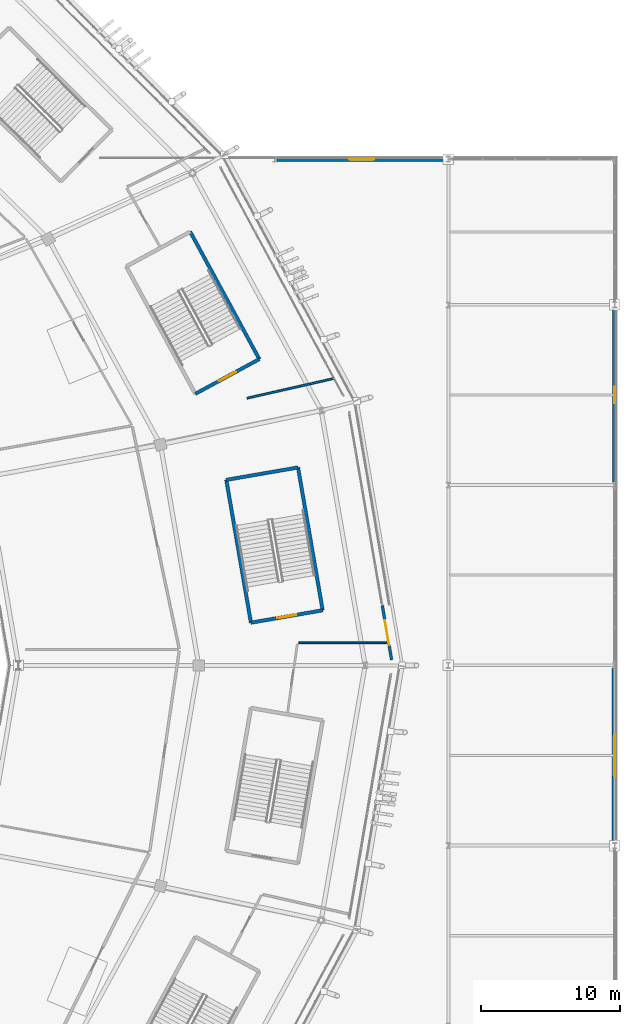
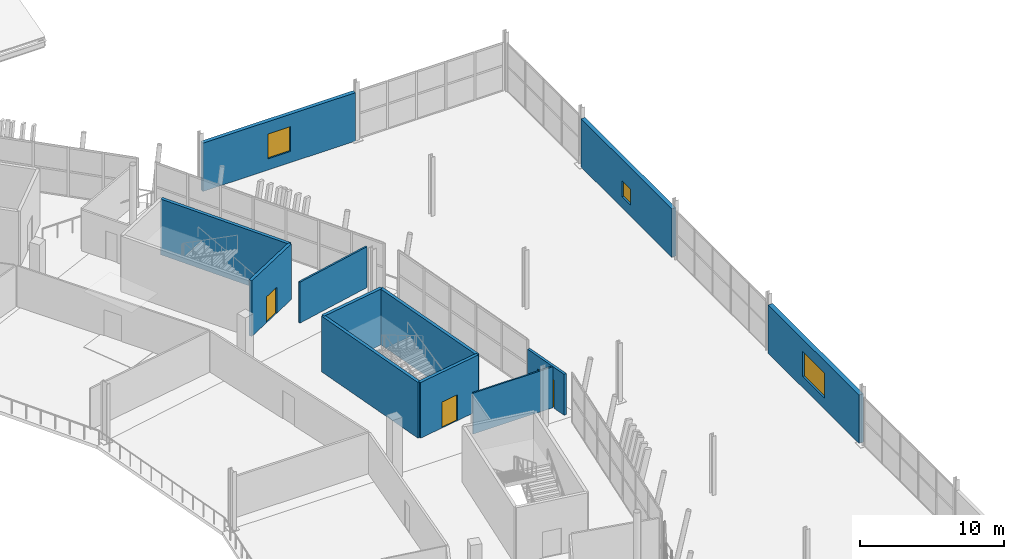
# One storey, part 132 of 179: 12 walls, 3 doors, 3 windows, 6 openings.
"""IFC4 building model written with IfcOpenShell, lengths in metres."""

from ifc_helpers import new_model, si_unit, direction, frame, frame_2d, origin, place, context, subcontext, project, spatial, rectangle, extrude, material, layer, layer_set, type_object, element, fill, save


model = new_model("IFC4")

# Units and contexts
model_context = context("Model", 3, precision=1e-05, world=origin(), true_north=direction((0.0, 1.0)))
body_context = subcontext(model_context, "Body", "Model", "MODEL_VIEW")
ifc_project = project(units=[si_unit("LENGTHUNIT", "METRE"), si_unit("AREAUNIT", "SQUARE_METRE"), si_unit("VOLUMEUNIT", "CUBIC_METRE"), si_unit("PLANEANGLEUNIT", "RADIAN"), si_unit("MASSUNIT", "GRAM", prefix="KILO")], contexts=[model_context])

# Site, building, storey
site_placement = place(None, origin())
site = spatial("IfcSite", under=ifc_project, at=site_placement, CompositionType="ELEMENT")
building_placement = place(site_placement, origin())
building = spatial("IfcBuilding", under=site, at=building_placement, Name="Zlatoyarsky Gate Stadium", CompositionType="ELEMENT")
storey_placement = place(building_placement, frame((0.0, 0.0, 10.60009765625)))
storey = spatial("IfcBuildingStorey", under=building, at=storey_placement, Name="L02", CompositionType="ELEMENT", Elevation=10.60009765625)

# Wall
ifc_material_1 = material(Name="Moisture-resistant masonry partition", Category="masonry")
ifc_layer_1 = layer(ifc_material_1, 0.139892578125)
ifc_layer_set_1 = layer_set([ifc_layer_1], Name="Moisture-resistant masonry partition")
wall_type_1 = type_object("IfcWallType", Name="ATHLETE CHANGING BLOCK PARTITION 140", PredefinedType="PARTITIONING", material=ifc_layer_set_1)
wall_1_placement = place(storey_placement, frame((195.4921875, 99.2646484375, 0.0), z_axis=(0.0, 0.0, 1.0), x_axis=(0.975092050742, 0.221800569385, 0.0)))
element("IfcWall", 1, at=wall_1_placement, inside=storey, type_object=wall_type_1, Name="L02 interior partition PRT-L02-ORD-01L", PredefinedType="PARTITIONING", context=body_context, shape_type="SweptSolid", body=[
    extrude(rectangle(XDim=6.35009765625, YDim=0.139892578125, at=frame_2d((3.175048828125, 0.0))), origin(), (0.0, 0.0, 1.0), 3.469970703125),
])

# Wall, opening, door
ifc_material_2 = material(Name="Gypsum-clad mineral wool fire partition", Category="gypsum")
ifc_layer_2 = layer(ifc_material_2, 0.199951171875)
ifc_layer_set_2 = layer_set([ifc_layer_2], Name="Gypsum-clad mineral wool fire partition")
wall_type_2 = type_object("IfcWallType", Name="COMPARTMENT FIRE PARTITION WALL 200", PredefinedType="PARTITIONING", material=ifc_layer_set_2)
wall_2_placement = place(storey_placement, frame((205.907470703125, 80.399169921875, 0.0), z_axis=(0.0, 0.0, 1.0), x_axis=(-0.168866275192, 0.985638970974, 0.0)))
wall_2 = element("IfcWall", 2, at=wall_2_placement, inside=storey, type_object=wall_type_2, Name="L02 interior partition PRT-PORTAL-L02-00", PredefinedType="PARTITIONING", context=body_context, shape_type="SweptSolid", body=[
    extrude(rectangle(XDim=3.9599609375, YDim=0.199951171875, at=frame_2d((1.97998046875, 0.0))), origin(), (0.0, 0.0, 1.0), 3.469970703125),
])
opening_1_placement = place(wall_2_placement, frame((1.070068359375, 0.0, 0.0)))
opening_1 = element("IfcOpeningElement", 3, at=opening_1_placement, cuts=wall_2, Name="Opening D-L02-713", PredefinedType="OPENING", context=body_context, shape_type="SweptSolid", body=[
    extrude(rectangle(XDim=1.820068359375, YDim=2.3798828125, at=frame_2d((0.91015625, 1.18994140625))), frame((0.0, 0.10986328125, 0.0), z_axis=(0.0, -1.0, 0.0), x_axis=(1.0, 0.0, 0.0)), (0.0, 0.0, 1.0), 0.219970703125),
])
ifc_material_3 = material(Name="Powder-coated steel fire door", Category="steel")
door_type_1 = type_object("IfcDoorType", Name="ACOUSTIC INTERIOR DOOR 1820X2380", OperationType="NOTDEFINED", PredefinedType="DOOR", material=ifc_material_3)
door_1_placement = place(opening_1_placement, origin())
door_1 = element("IfcDoor", 4, at=door_1_placement, inside=storey, type_object=door_type_1, Name="L02 room door D-L02-713", OperationType="SINGLE_SWING_LEFT", OverallHeight=2.3798828125, OverallWidth=1.820068359375, PredefinedType="DOOR", context=body_context, shape_type="SweptSolid", body=[
    extrude(rectangle(XDim=1.820068359375, YDim=2.3798828125, at=frame_2d((0.91015625, 1.18994140625))), frame((0.0, 0.02490234375, 0.0), z_axis=(0.0, -1.0, 0.0), x_axis=(1.0, 0.0, 0.0)), (0.0, 0.0, 1.0), 0.050048828125),
])
fill(opening_1, door_1)

ifc_material_4 = material(Name="Concrete C40/50", Category="concrete")
ifc_layer_3 = layer(ifc_material_4, 0.25)
ifc_layer_set_3 = layer_set([ifc_layer_3], Name="Concrete C40/50")
wall_type_3 = type_object("IfcWallType", Name="CONCRETE STAIR CORE SHEAR WALL 250", PredefinedType="SHEAR", material=ifc_layer_set_3)
wall_3_placement = place(storey_placement, frame((195.762451171875, 83.07666015625, 0.0), z_axis=(0.0, 0.0, 1.0), x_axis=(0.985457162135, 0.16992404655, 0.0)))
wall_3 = element("IfcWall", 5, at=wall_3_placement, inside=storey, type_object=wall_type_3, Name="ST-01 L02 stair core entrance shear wall", PredefinedType="SHEAR", context=body_context, shape_type="SweptSolid", body=[
    extrude(rectangle(XDim=5.25, YDim=0.25, at=frame_2d((2.625, 0.0))), origin(), (0.0, 0.0, 1.0), 4.719970703125),
])
opening_2_placement = place(wall_3_placement, frame((1.925048828125, 0.0, 0.0)))
opening_2 = element("IfcOpeningElement", 6, at=opening_2_placement, cuts=wall_3, Name="Opening SD-ST-01-L02", PredefinedType="OPENING", context=body_context, shape_type="SweptSolid", body=[
    extrude(rectangle(XDim=1.39990234375, YDim=2.199951171875, at=frame_2d((0.699951171875, 1.10009765625))), frame((0.0, 0.135009765625, 0.0), z_axis=(0.0, -1.0, 0.0), x_axis=(1.0, 0.0, 0.0)), (0.0, 0.0, 1.0), 0.27001953125),
])
door_type_2 = type_object("IfcDoorType", Name="STAIR CORE FIRE EXIT DOOR 1400X2200", OperationType="NOTDEFINED", PredefinedType="DOOR", material=ifc_material_3)
door_2_placement = place(opening_2_placement, frame((1.39990234375, 0.0, 0.0), z_axis=(0.0, 0.0, 1.0), x_axis=(-1.0, 0.0, 0.0)))
door_2 = element("IfcDoor", 7, at=door_2_placement, inside=storey, type_object=door_type_2, Name="ST-01 L02 stair fire door", OperationType="SINGLE_SWING_RIGHT", OverallHeight=2.199951171875, OverallWidth=1.39990234375, PredefinedType="DOOR", context=body_context, shape_type="SweptSolid", body=[
    extrude(rectangle(XDim=1.39990234375, YDim=2.199951171875, at=frame_2d((0.699951171875, 1.10009765625))), frame((0.0, 0.02490234375, 0.0), z_axis=(0.0, -1.0, 0.0), x_axis=(1.0, 0.0, 0.0)), (0.0, 0.0, 1.0), 0.050048828125),
])
fill(opening_2, door_2)

# Walls
wall_4_placement = place(storey_placement, frame((200.93603515625, 83.96875, 0.0), z_axis=(0.0, 0.0, 1.0), x_axis=(-0.169938992676, 0.985454584833, 0.0)))
element("IfcWall", 8, at=wall_4_placement, inside=storey, type_object=wall_type_3, Name="ST-01 L02 stair core left shear wall", PredefinedType="SHEAR", context=body_context, shape_type="SweptSolid", body=[
    extrude(rectangle(XDim=10.4501953125, YDim=0.25, at=frame_2d((5.22509765625, 0.0))), origin(), (0.0, 0.0, 1.0), 4.719970703125),
])
wall_5_placement = place(storey_placement, frame((199.16015625, 94.266845703125, 0.0), z_axis=(0.0, 0.0, 1.0), x_axis=(-0.985457162135, -0.16992404655, 0.0)))
element("IfcWall", 9, at=wall_5_placement, inside=storey, type_object=wall_type_3, Name="ST-01 L02 stair core far shear wall", PredefinedType="SHEAR", context=body_context, shape_type="SweptSolid", body=[
    extrude(rectangle(XDim=5.25, YDim=0.25, at=frame_2d((2.625, 0.0))), origin(), (0.0, 0.0, 1.0), 4.719970703125),
])
wall_6_placement = place(storey_placement, frame((193.986572265625, 93.374755859375, 0.0), z_axis=(0.0, 0.0, 1.0), x_axis=(0.169938992676, -0.985454584833, 0.0)))
element("IfcWall", 10, at=wall_6_placement, inside=storey, type_object=wall_type_3, Name="ST-01 L02 stair core right shear wall", PredefinedType="SHEAR", context=body_context, shape_type="SweptSolid", body=[
    extrude(rectangle(XDim=10.4501953125, YDim=0.25, at=frame_2d((5.22509765625, 0.0))), origin(), (0.0, 0.0, 1.0), 4.719970703125),
])

# Wall, opening, door
wall_7_placement = place(storey_placement, frame((191.753662109375, 99.579833984375, 0.0), z_axis=(0.0, 0.0, 1.0), x_axis=(0.878961487093, 0.47689275965, 0.0)))
wall_7 = element("IfcWall", 11, at=wall_7_placement, inside=storey, type_object=wall_type_3, Name="ST-13 L02 stair core entrance shear wall", PredefinedType="SHEAR", context=body_context, shape_type="SweptSolid", body=[
    extrude(rectangle(XDim=5.25, YDim=0.25, at=frame_2d((2.625, 0.0))), origin(), (0.0, 0.0, 1.0), 4.719970703125),
])
opening_3_placement = place(wall_7_placement, frame((1.925048828125, 0.0, 0.0)))
opening_3 = element("IfcOpeningElement", 12, at=opening_3_placement, cuts=wall_7, Name="Opening SD-ST-13-L02", PredefinedType="OPENING", context=body_context, shape_type="SweptSolid", body=[
    extrude(rectangle(XDim=1.39990234375, YDim=2.199951171875, at=frame_2d((0.699951171875, 1.10009765625))), frame((0.0, 0.135009765625, 0.0), z_axis=(0.0, -1.0, 0.0), x_axis=(1.0, 0.0, 0.0)), (0.0, 0.0, 1.0), 0.27001953125),
])
door_3_placement = place(opening_3_placement, frame((1.39990234375, 0.0, 0.0), z_axis=(0.0, 0.0, 1.0), x_axis=(-1.0, 0.0, 0.0)))
door_3 = element("IfcDoor", 13, at=door_3_placement, inside=storey, type_object=door_type_2, Name="ST-13 L02 stair fire door", OperationType="SINGLE_SWING_RIGHT", OverallHeight=2.199951171875, OverallWidth=1.39990234375, PredefinedType="DOOR", context=body_context, shape_type="SweptSolid", body=[
    extrude(rectangle(XDim=1.39990234375, YDim=2.199951171875, at=frame_2d((0.699951171875, 1.10009765625))), frame((0.0, 0.02490234375, 0.0), z_axis=(0.0, -1.0, 0.0), x_axis=(1.0, 0.0, 0.0)), (0.0, 0.0, 1.0), 0.050048828125),
])
fill(opening_3, door_3)

# Wall
wall_8_placement = place(storey_placement, frame((196.3681640625, 102.08349609375, 0.0), z_axis=(0.0, 0.0, 1.0), x_axis=(-0.476876856974, 0.878970115125, 0.0)))
element("IfcWall", 14, at=wall_8_placement, inside=storey, type_object=wall_type_3, Name="ST-13 L02 stair core left shear wall", PredefinedType="SHEAR", context=body_context, shape_type="SweptSolid", body=[
    extrude(rectangle(XDim=10.4501953125, YDim=0.25, at=frame_2d((5.22509765625, 0.0))), origin(), (0.0, 0.0, 1.0), 4.719970703125),
])

# Wall, opening, window
ifc_material_5 = material(Name="Limestone-faced insulated masonry wall", Category="masonry")
ifc_layer_4 = layer(ifc_material_5, 0.300048828125)
ifc_layer_set_4 = layer_set([ifc_layer_4], Name="Limestone-faced insulated masonry wall")
wall_type_4 = type_object("IfcWallType", Name="INSULATED PAVILION FACADE WALL 300", PredefinedType="STANDARD", material=ifc_layer_set_4)
wall_9_placement = place(storey_placement, frame((197.64697265625, 116.5, 0.0), z_axis=(0.0, 0.0, 1.0), x_axis=(1.0, 0.0, 0.0)))
wall_9 = element("IfcWall", 15, at=wall_9_placement, inside=storey, type_object=wall_type_4, Name="V5_EAST L02 N exterior wall", PredefinedType="STANDARD", context=body_context, shape_type="SweptSolid", body=[
    extrude(rectangle(XDim=12.2060546875, YDim=0.300048828125, at=frame_2d((6.10302734375, 0.0))), origin(), (0.0, 0.0, 1.0), 4.099853515625),
])
opening_4_placement = place(wall_9_placement, frame((5.202880859375, 0.0, 0.949951171875)))
opening_4 = element("IfcOpeningElement", 16, at=opening_4_placement, cuts=wall_9, Name="Opening WN-12", PredefinedType="OPENING", context=body_context, shape_type="SweptSolid", body=[
    extrude(rectangle(XDim=1.800048828125, YDim=2.10009765625, at=frame_2d((0.89990234375, 1.050048828125))), frame((0.0, 0.159912109375, 0.0), z_axis=(0.0, -1.0, 0.0), x_axis=(1.0, 0.0, 0.0)), (0.0, 0.0, 1.0), 0.320068359375),
])
ifc_material_6 = material(Name="Triple-glazed thermally broken aluminium window", Category="aluminium")
window_type_1 = type_object("IfcWindowType", Name="TRIPLE GLAZED ALUMINIUM WINDOW 1800X2100", PartitioningType="SINGLE_PANEL", PredefinedType="WINDOW", material=ifc_material_6)
window_1_placement = place(opening_4_placement, origin())
window_1 = element("IfcWindow", 17, at=window_1_placement, inside=storey, type_object=window_type_1, Name="Exterior window WIN-L02-068", OverallHeight=2.10009765625, OverallWidth=1.800048828125, PartitioningType="SINGLE_PANEL", PredefinedType="WINDOW", context=body_context, shape_type="SweptSolid", body=[
    extrude(rectangle(XDim=1.800048828125, YDim=2.10009765625, at=frame_2d((0.89990234375, 1.050048828125))), frame((0.0, 0.030029296875, 0.0), z_axis=(0.0, -1.0, 0.0), x_axis=(1.0, 0.0, 0.0)), (0.0, 0.0, 1.0), 0.06005859375),
])
fill(opening_4, window_1)

ifc_layer_5 = layer(ifc_material_5, 0.360107421875)
ifc_layer_set_5 = layer_set([ifc_layer_5], Name="Limestone-faced insulated masonry wall")
wall_type_5 = type_object("IfcWallType", Name="LIMESTONE CLAD CAVITY WALL 360", PredefinedType="STANDARD", material=ifc_layer_set_5)
wall_10_placement = place(storey_placement, frame((222.0, 67.197021484375, 0.0), z_axis=(0.0, 0.0, 1.0), x_axis=(0.0, 1.0, 0.0)))
wall_10 = element("IfcWall", 18, at=wall_10_placement, inside=storey, type_object=wall_type_5, Name="V5_EAST L02 E_LO exterior wall", PredefinedType="STANDARD", context=body_context, shape_type="SweptSolid", body=[
    extrude(rectangle(XDim=12.60595703125, YDim=0.360107421875, at=frame_2d((6.302978515625, 0.0))), origin(), (0.0, 0.0, 1.0), 4.099853515625),
])
opening_5_placement = place(wall_10_placement, frame((4.802978515625, 0.0, 0.949951171875)))
opening_5 = element("IfcOpeningElement", 19, at=opening_5_placement, cuts=wall_10, Name="Opening WN-28", PredefinedType="OPENING", context=body_context, shape_type="SweptSolid", body=[
    extrude(rectangle(XDim=3.0, YDim=2.10009765625, at=frame_2d((1.5, 1.050048828125))), frame((0.0, 0.18994140625, 0.0), z_axis=(0.0, -1.0, 0.0), x_axis=(1.0, 0.0, 0.0)), (0.0, 0.0, 1.0), 0.380126953125),
])
window_type_2 = type_object("IfcWindowType", Name="TRIPLE GLAZED ALUMINIUM WINDOW 3000X2100", PartitioningType="SINGLE_PANEL", PredefinedType="WINDOW", material=ifc_material_6)
window_2_placement = place(opening_5_placement, origin())
window_2 = element("IfcWindow", 20, at=window_2_placement, inside=storey, type_object=window_type_2, Name="Exterior window WIN-L02-056", OverallHeight=2.10009765625, OverallWidth=3.0, PartitioningType="SINGLE_PANEL", PredefinedType="WINDOW", context=body_context, shape_type="SweptSolid", body=[
    extrude(rectangle(XDim=3.0, YDim=2.10009765625, at=frame_2d((1.5, 1.050048828125))), frame((0.0, 0.030029296875, 0.0), z_axis=(0.0, -1.0, 0.0), x_axis=(1.0, 0.0, 0.0)), (0.0, 0.0, 1.0), 0.06005859375),
])
fill(opening_5, window_2)

# Wall
ifc_material_7 = material(Name="Metal-stud gypsum partition", Category="gypsum")
ifc_layer_6 = layer(ifc_material_7, 0.1201171875)
ifc_layer_set_6 = layer_set([ifc_layer_6], Name="Metal-stud gypsum partition")
wall_type_6 = type_object("IfcWallType", Name="OFFICE AND PRESS PARTITION 120", PredefinedType="PARTITIONING", material=ifc_layer_set_6)
wall_11_placement = place(storey_placement, frame((199.2041015625, 81.6259765625, 0.0), z_axis=(0.0, 0.0, 1.0), x_axis=(0.999999999274, 3.8098141e-05, 0.0)))
element("IfcWall", 21, at=wall_11_placement, inside=storey, type_object=wall_type_6, Name="L02 interior partition PRT-L02-ORD-23R", PredefinedType="PARTITIONING", context=body_context, shape_type="SweptSolid", body=[
    extrude(rectangle(XDim=6.408203125, YDim=0.1201171875, at=frame_2d((3.2041015625, 0.0))), origin(), (0.0, 0.0, 1.0), 3.469970703125),
])

# Wall, opening, window
ifc_material_8 = material(Name="Precast concrete C40/50 architectural panel", Category="concrete")
ifc_layer_7 = layer(ifc_material_8, 0.320068359375)
ifc_layer_set_7 = layer_set([ifc_layer_7], Name="Precast concrete C40/50 architectural panel")
wall_type_7 = type_object("IfcWallType", Name="PRECAST TERRACOTTA FACADE WALL 320", PredefinedType="STANDARD", material=ifc_layer_set_7)
wall_12_placement = place(storey_placement, frame((222.0, 93.197021484375, 0.0), z_axis=(0.0, 0.0, 1.0), x_axis=(0.0, 1.0, 0.0)))
wall_12 = element("IfcWall", 22, at=wall_12_placement, inside=storey, type_object=wall_type_7, Name="V5_EAST L02 E_LO exterior wall", PredefinedType="STANDARD", context=body_context, shape_type="SweptSolid", body=[
    extrude(rectangle(XDim=12.60595703125, YDim=0.320068359375, at=frame_2d((6.302978515625, 0.0))), origin(), (0.0, 0.0, 1.0), 4.099853515625),
])
opening_6_placement = place(wall_12_placement, frame((5.702880859375, 0.0, 0.949951171875)))
opening_6 = element("IfcOpeningElement", 23, at=opening_6_placement, cuts=wall_12, Name="Opening WN-01", PredefinedType="OPENING", context=body_context, shape_type="SweptSolid", body=[
    extrude(rectangle(XDim=1.199951171875, YDim=1.35009765625, at=frame_2d((0.60009765625, 0.675048828125))), frame((0.0, 0.169921875, 0.0), z_axis=(0.0, -1.0, 0.0), x_axis=(1.0, 0.0, 0.0)), (0.0, 0.0, 1.0), 0.340087890625),
])
window_type_3 = type_object("IfcWindowType", Name="TRIPLE GLAZED ALUMINIUM WINDOW 1200X1350", PartitioningType="SINGLE_PANEL", PredefinedType="WINDOW", material=ifc_material_6)
window_3_placement = place(opening_6_placement, origin())
window_3 = element("IfcWindow", 24, at=window_3_placement, inside=storey, type_object=window_type_3, Name="Exterior window WIN-L02-057", OverallHeight=1.35009765625, OverallWidth=1.199951171875, PartitioningType="SINGLE_PANEL", PredefinedType="WINDOW", context=body_context, shape_type="SweptSolid", body=[
    extrude(rectangle(XDim=1.199951171875, YDim=1.35009765625, at=frame_2d((0.60009765625, 0.675048828125))), frame((0.0, 0.030029296875, 0.0), z_axis=(0.0, -1.0, 0.0), x_axis=(1.0, 0.0, 0.0)), (0.0, 0.0, 1.0), 0.06005859375),
])
fill(opening_6, window_3)

save(model, "model.ifc")
